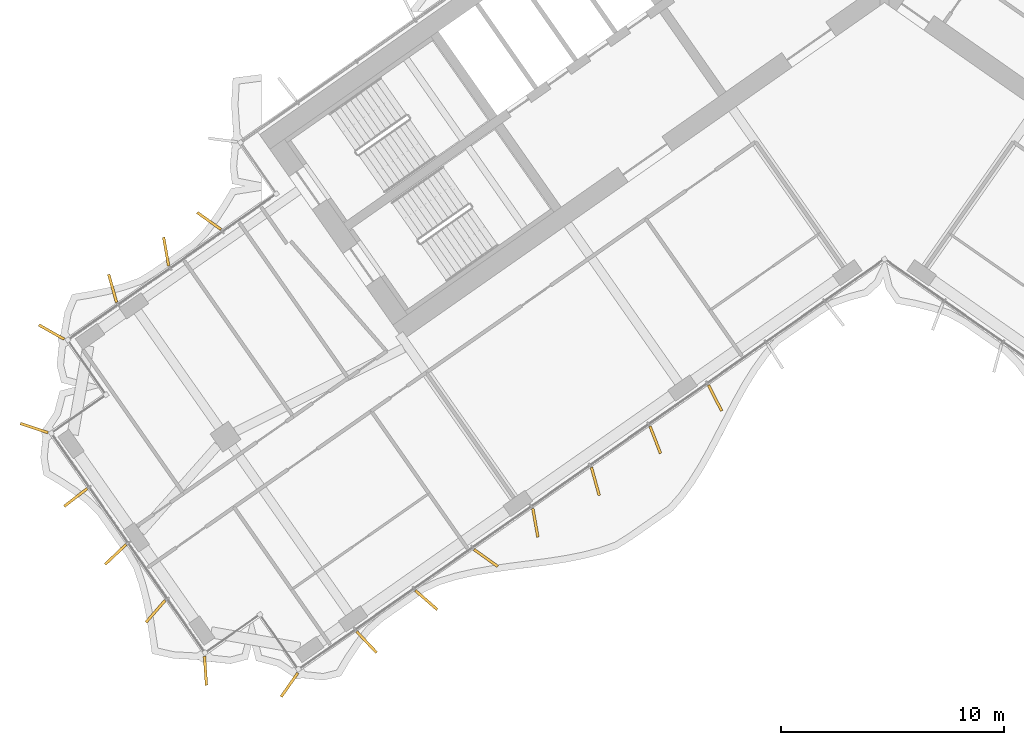
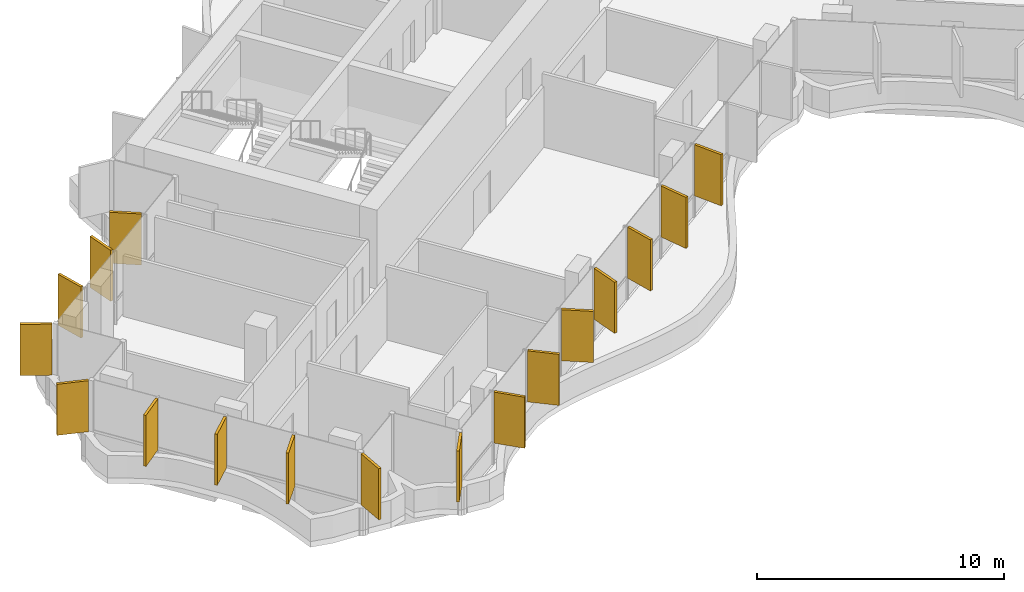
# One storey, part 19 of 23: 17 shading devices.
"""IFC4 building model written with IfcOpenShell, lengths in metres."""

from ifc_helpers import new_model, si_unit, direction, frame, origin, origin_2d, place, context, subcontext, project, spatial, rectangle, extrude, material, layer, layer_set, type_object, element, save


model = new_model("IFC4")

# Units and contexts
model_context = context("Model", 3, precision=1e-05, world=origin(), true_north=direction((0.0, 1.0)))
body_context = subcontext(model_context, "Body", "Model", "MODEL_VIEW")
ifc_project = project(units=[si_unit("LENGTHUNIT", "METRE"), si_unit("AREAUNIT", "SQUARE_METRE"), si_unit("VOLUMEUNIT", "CUBIC_METRE"), si_unit("PLANEANGLEUNIT", "RADIAN"), si_unit("MASSUNIT", "GRAM", prefix="KILO")], contexts=[model_context])

# Site, building, storey
site_placement = place(None, origin())
site = spatial("IfcSite", under=ifc_project, at=site_placement, CompositionType="ELEMENT")
building_placement = place(site_placement, origin())
building = spatial("IfcBuilding", under=site, at=building_placement, Name="Tel Ilan Convention Tower", CompositionType="ELEMENT")
storey_placement = place(building_placement, frame((0.0, 0.0, 174.89990234375)))
storey = spatial("IfcBuildingStorey", under=building, at=storey_placement, Name="L40", CompositionType="ELEMENT", Elevation=174.89990234375)

# Shading devices
ifc_material = material(Name="Aluminium, bronze anodised", Category="aluminium")
ifc_layer = layer(ifc_material, 0.1201171875)
ifc_layer_set = layer_set([ifc_layer], Name="FIN BRONZE 1300x120")
shading_device_type = type_object("IfcShadingDeviceType", Name="FIN BRONZE 1300x120", PredefinedType="USERDEFINED", material=ifc_layer_set)
for number, where, z_axis, x_axis, name in (
    (1, (-30.227294921875, -10.993408203125, 1.10009765625), (0.0, 0.0, 1.0), (-0.813552070258, 0.581492071294, 0.0), "FIN"),
    (2, (-32.149169921875, -12.361572265625, 1.10009765625), (0.0, 0.0, 1.0), (-0.173648177667, 0.984807753012, 0.0), "FIN"),
    (3, (-34.5419921875, -14.0146484375, 1.10009765625), (0.0, 0.0, 1.0), (-0.268172612768, 0.963370878614, 0.0), "FIN"),
    (4, (-37.2763671875, -15.968505859375, 1.10009765625), (0.0, 0.0, 1.0), (-0.870832754082, 0.491579408049, 0.0), "FIN"),
    (5, (-38.052978515625, -20.263671875, 1.10009765625), (0.0, 0.0, 1.0), (-0.949242643575, 0.314544756146, 0.0), "FIN"),
    (6, (-36.194091796875, -23.36767578125, 1.10009765625), (0.0, 0.0, 1.0), (-0.790392669516, -0.612600545196, 0.0), "FIN"),
    (7, (-34.408447265625, -25.917236328125, 1.10009765625), (0.0, 0.0, 1.0), (-0.727373641577, -0.686241637865, 0.0), "FIN"),
    (8, (-32.618408203125, -28.462646484375, 1.10009765625), (0.0, 0.0, 1.0), (-0.657521368568, -0.753435896329, 0.0), "FIN"),
    (9, (-30.388671875, -31.12548828125, 1.10009765625), (0.0, 0.0, 1.0), (0.067821812994, -0.997697449973, 0.0), "FIN"),
    (10, (-26.629150390625, -31.7568359375, 1.10009765625), (0.0, 0.0, 1.0), (-0.573576436351, -0.819152044289, 0.0), "FIN"),
    (11, (-23.176025390625, -29.84130859375, 1.10009765625), (0.0, 0.0, 1.0), (0.686241637865, -0.727373641577, 0.0), "FIN"),
    (12, (-20.50390625, -27.96240234375, 1.10009765625), (0.0, 0.0, 1.0), (0.753435896329, -0.657521368568, 0.0), "FIN"),
    (13, (-17.83642578125, -26.079345703125, 1.10009765625), (0.0, 0.0, 1.0), (0.813552070258, -0.581492071294, 0.0), "FIN"),
    (14, (-15.6240234375, -24.5078125, 1.10009765625), (0.0, 0.0, 1.0), (0.173648177667, -0.984807753012, 0.0), "FIN"),
    (15, (-12.9404296875, -22.651123046875, 1.10009765625), (0.0, 0.0, 1.0), (0.268172612768, -0.963370878614, 0.0), "FIN"),
    (16, (-10.2587890625, -20.78857421875, 1.10009765625), (0.0, 0.0, 1.0), (0.360177724803, -0.932883704733, 0.0), "FIN"),
    (17, (-7.5791015625, -18.920166015625, 1.10009765625), (0.0, 0.0, 1.0), (0.448799180206, -0.893632640321, 0.0), "FIN"),
):
    element("IfcShadingDevice", number, at=place(storey_placement, frame(where, z_axis=z_axis, x_axis=x_axis)), inside=storey, type_object=shading_device_type, Name=name, ObjectType="FIN", PredefinedType="USERDEFINED", context=body_context, shape_type="SweptSolid", body=[
        extrude(rectangle(XDim=1.300048828125, YDim=0.1201171875, at=origin_2d()), origin(), (0.0, 0.0, 1.0), 2.52001953125),
    ])

save(model, "model.ifc")
